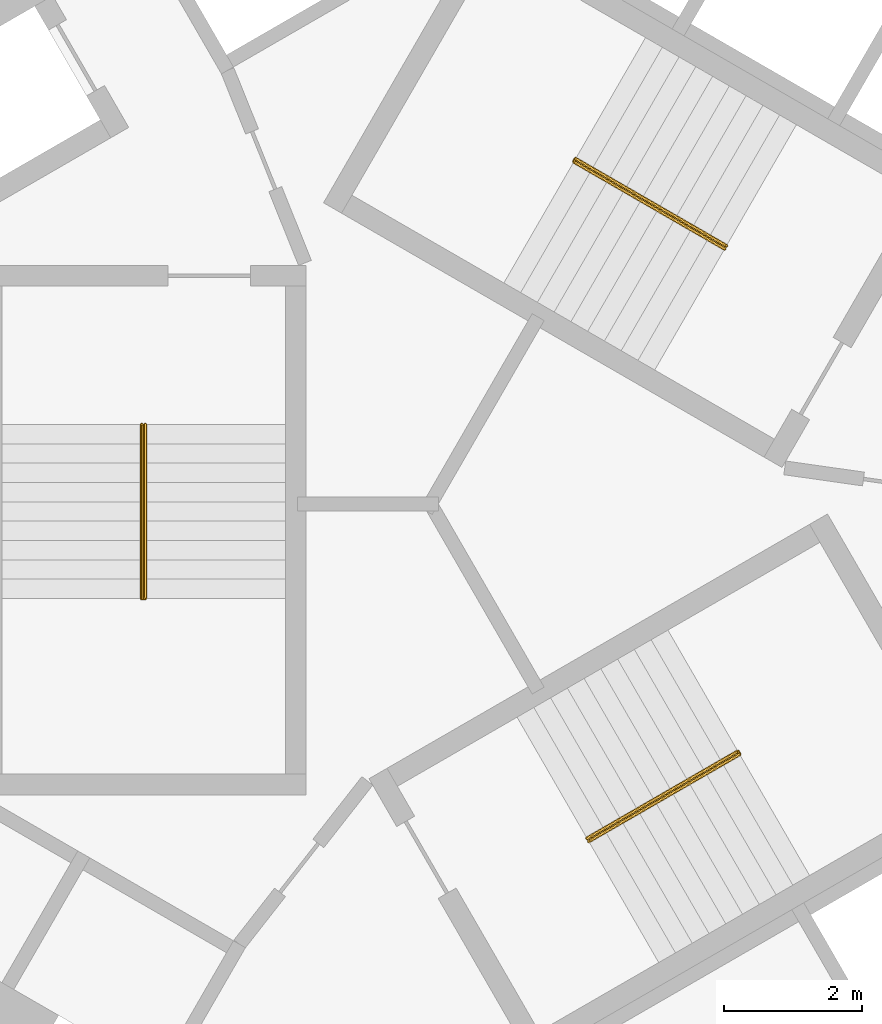
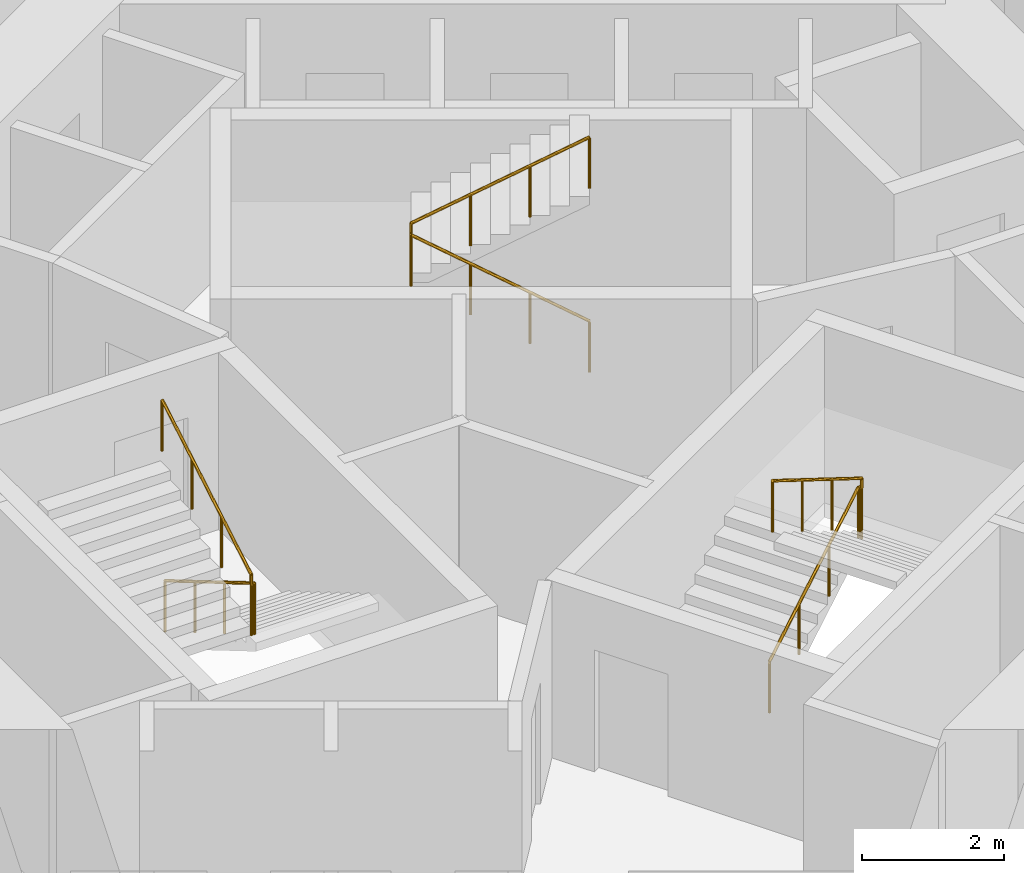
# One storey, part 12 of 12: 3 railings.
"""IFC4 building model written with IfcOpenShell, lengths in metres."""

from ifc_helpers import new_model, si_unit, direction, frame, origin, origin_2d, place, context, subcontext, project, spatial, circle, extrude, material, type_object, element, save


model = new_model("IFC4")

# Units and contexts
model_context = context("Model", 3, precision=1e-05, world=origin(), true_north=direction((0.0, 1.0)))
body_context = subcontext(model_context, "Body", "Model", "MODEL_VIEW")
ifc_project = project(units=[si_unit("LENGTHUNIT", "METRE"), si_unit("AREAUNIT", "SQUARE_METRE"), si_unit("VOLUMEUNIT", "CUBIC_METRE"), si_unit("PLANEANGLEUNIT", "RADIAN"), si_unit("MASSUNIT", "GRAM", prefix="KILO")], contexts=[model_context])

# Site, building, storey
site_placement = place(None, origin())
site = spatial("IfcSite", under=ifc_project, at=site_placement, CompositionType="ELEMENT")
building_placement = place(site_placement, origin())
building = spatial("IfcBuilding", under=site, at=building_placement, Name="Vanh Sen Convention Tower", CompositionType="ELEMENT")
storey_placement = place(building_placement, frame((0.0, 0.0, 103.39990234375)))
storey = spatial("IfcBuildingStorey", under=building, at=storey_placement, Name="L24", CompositionType="ELEMENT", Elevation=103.39990234375)

# Railings
ifc_material = material(Name="Stainless steel handrail", Category="steel")
railing_type = type_object("IfcRailingType", Name="Stair handrail 900", PredefinedType="HANDRAIL", material=ifc_material)
railing_1_placement = place(storey_placement, frame((3.45849609375, 3.690185546875, 0.1650390625)))
element("IfcRailing", 1, at=railing_1_placement, inside=storey, type_object=railing_type, Name="Stair handrail ST1 L24", PredefinedType="HANDRAIL", context=body_context, shape_type="SweptSolid", body=[
    extrude(circle(Radius=0.02392578125, at=origin_2d()), frame((0.0, 0.0, 0.8759765625), z_axis=(-0.746134546661, 0.430738299252, 0.507688640642), x_axis=(-0.499962843328, -0.866046855136, 0.0)), (0.0, 0.0, 1.0), 2.92529296875),
    extrude(circle(Radius=0.02392578125, at=origin_2d()), frame((-2.1826171875, 1.260009765625, 2.36083984375), z_axis=(0.502959906984, 0.86430974307, 0.0), x_axis=(-0.86430974307, 0.502959906984, 0.0)), (0.0, 0.0, 1.0), 0.050048828125),
    extrude(circle(Radius=0.02392578125, at=origin_2d()), frame((-2.157470703125, 1.30322265625, 2.36083984375), z_axis=(0.0, 0.0, 1.0), x_axis=(1.0, 0.0, 0.0)), (0.0, 0.0, 1.0), 0.1650390625),
    extrude(circle(Radius=0.02392578125, at=origin_2d()), frame((-2.157470703125, 1.30322265625, 2.52587890625), z_axis=(0.746129163535, -0.430783377672, 0.507658303235), x_axis=(0.500004791531, 0.866022637375, 0.0)), (0.0, 0.0, 1.0), 2.9248046875),
    extrude(circle(Radius=0.02099609375, at=origin_2d()), origin(), (0.0, 0.0, 1.0), 0.851806640625),
    extrude(circle(Radius=0.02099609375, at=origin_2d()), frame((-0.7275390625, 0.419921875, 0.4951171875)), (0.0, 0.0, 1.0), 0.851806640625),
    extrude(circle(Radius=0.02099609375, at=origin_2d()), frame((-1.455078125, 0.840087890625, 0.989990234375)), (0.0, 0.0, 1.0), 0.851806640625),
    extrude(circle(Radius=0.02099609375, at=origin_2d()), frame((-2.1826171875, 1.260009765625, 1.485107421875)), (0.0, 0.0, 1.0), 0.851806640625),
    extrude(circle(Radius=0.02099609375, at=origin_2d()), frame((-2.157470703125, 1.30322265625, 1.485107421875)), (0.0, 0.0, 1.0), 0.851806640625),
    extrude(circle(Radius=0.02099609375, at=origin_2d()), frame((-2.157470703125, 1.30322265625, 1.650146484375)), (0.0, 0.0, 1.0), 0.851806640625),
    extrude(circle(Radius=0.02099609375, at=origin_2d()), frame((-1.429931640625, 0.88330078125, 2.14501953125)), (0.0, 0.0, 1.0), 0.851806640625),
    extrude(circle(Radius=0.02099609375, at=origin_2d()), frame((-0.70263671875, 0.463134765625, 2.64013671875)), (0.0, 0.0, 1.0), 0.851806640625),
    extrude(circle(Radius=0.02099609375, at=origin_2d()), frame((0.02490234375, 0.043212890625, 3.135009765625)), (0.0, 0.0, 1.0), 0.851806640625),
])
railing_2_placement = place(storey_placement, frame((-4.925048828125, 1.14990234375, 0.1650390625)))
element("IfcRailing", 2, at=railing_2_placement, inside=storey, type_object=railing_type, Name="Stair handrail ST2 L24", PredefinedType="HANDRAIL", context=body_context, shape_type="SweptSolid", body=[
    extrude(circle(Radius=0.02392578125, at=origin_2d()), frame((0.0, 0.0, 0.8759765625), z_axis=(0.0, -0.86152411907, 0.507716645641), x_axis=(1.0, 0.0, 0.0)), (0.0, 0.0, 1.0), 2.925048828125),
    extrude(circle(Radius=0.02392578125, at=origin_2d()), frame((0.0, -2.52001953125, 2.36083984375), z_axis=(-1.0, 0.0, 0.0), x_axis=(0.0, -1.0, 0.0)), (0.0, 0.0, 1.0), 0.050048828125),
    extrude(circle(Radius=0.02392578125, at=origin_2d()), frame((-0.050048828125, -2.52001953125, 2.36083984375), z_axis=(0.0, 0.0, 1.0), x_axis=(1.0, 0.0, 0.0)), (0.0, 0.0, 1.0), 0.1650390625),
    extrude(circle(Radius=0.02392578125, at=origin_2d()), frame((-0.050048828125, -2.52001953125, 2.52587890625), z_axis=(0.0, 0.861560626758, 0.507654692109), x_axis=(-1.0, 0.0, 0.0)), (0.0, 0.0, 1.0), 2.925048828125),
    extrude(circle(Radius=0.02099609375, at=origin_2d()), origin(), (0.0, 0.0, 1.0), 0.851806640625),
    extrude(circle(Radius=0.02099609375, at=origin_2d()), frame((0.0, -0.840087890625, 0.4951171875)), (0.0, 0.0, 1.0), 0.851806640625),
    extrude(circle(Radius=0.02099609375, at=origin_2d()), frame((0.0, -1.679931640625, 0.989990234375)), (0.0, 0.0, 1.0), 0.851806640625),
    extrude(circle(Radius=0.02099609375, at=origin_2d()), frame((0.0, -2.52001953125, 1.485107421875)), (0.0, 0.0, 1.0), 0.851806640625),
    extrude(circle(Radius=0.02099609375, at=origin_2d()), frame((-0.050048828125, -2.52001953125, 1.485107421875)), (0.0, 0.0, 1.0), 0.851806640625),
    extrude(circle(Radius=0.02099609375, at=origin_2d()), frame((-0.050048828125, -2.52001953125, 1.650146484375)), (0.0, 0.0, 1.0), 0.851806640625),
    extrude(circle(Radius=0.02099609375, at=origin_2d()), frame((-0.050048828125, -1.679931640625, 2.14501953125)), (0.0, 0.0, 1.0), 0.851806640625),
    extrude(circle(Radius=0.02099609375, at=origin_2d()), frame((-0.050048828125, -0.840087890625, 2.64013671875)), (0.0, 0.0, 1.0), 0.851806640625),
    extrude(circle(Radius=0.02099609375, at=origin_2d()), frame((-0.050048828125, 0.0, 3.135009765625)), (0.0, 0.0, 1.0), 0.851806640625),
])
railing_3_placement = place(storey_placement, frame((1.466552734375, -4.840087890625, 0.1650390625)))
element("IfcRailing", 3, at=railing_3_placement, inside=storey, type_object=railing_type, Name="Stair handrail ST3 L24", PredefinedType="HANDRAIL", context=body_context, shape_type="SweptSolid", body=[
    extrude(circle(Radius=0.02392578125, at=origin_2d()), frame((0.0, 0.0, 0.8759765625), z_axis=(0.746097546679, 0.430765123438, 0.507720256902), x_axis=(-0.500004791531, 0.866022637375, 0.0)), (0.0, 0.0, 1.0), 2.925048828125),
    extrude(circle(Radius=0.02392578125, at=origin_2d()), frame((2.182373046875, 1.260009765625, 2.36083984375), z_axis=(0.500844580232, -0.86553723574, 0.0), x_axis=(0.86553723574, 0.500844580232, 0.0)), (0.0, 0.0, 1.0), 0.05029296875),
    extrude(circle(Radius=0.02392578125, at=origin_2d()), frame((2.20751953125, 1.216552734375, 2.36083984375), z_axis=(0.0, 0.0, 1.0), x_axis=(1.0, 0.0, 0.0)), (0.0, 0.0, 1.0), 0.1650390625),
    extrude(circle(Radius=0.02392578125, at=origin_2d()), frame((2.20751953125, 1.216552734375, 2.52587890625), z_axis=(-0.746129163535, -0.430783377672, 0.507658303235), x_axis=(0.500004791531, -0.866022637375, 0.0)), (0.0, 0.0, 1.0), 2.9248046875),
    extrude(circle(Radius=0.02099609375, at=origin_2d()), origin(), (0.0, 0.0, 1.0), 0.851806640625),
    extrude(circle(Radius=0.02099609375, at=origin_2d()), frame((0.7275390625, 0.419921875, 0.4951171875)), (0.0, 0.0, 1.0), 0.851806640625),
    extrude(circle(Radius=0.02099609375, at=origin_2d()), frame((1.454833984375, 0.840087890625, 0.989990234375)), (0.0, 0.0, 1.0), 0.851806640625),
    extrude(circle(Radius=0.02099609375, at=origin_2d()), frame((2.182373046875, 1.260009765625, 1.485107421875)), (0.0, 0.0, 1.0), 0.851806640625),
    extrude(circle(Radius=0.02099609375, at=origin_2d()), frame((2.20751953125, 1.216552734375, 1.485107421875)), (0.0, 0.0, 1.0), 0.851806640625),
    extrude(circle(Radius=0.02099609375, at=origin_2d()), frame((2.20751953125, 1.216552734375, 1.650146484375)), (0.0, 0.0, 1.0), 0.851806640625),
    extrude(circle(Radius=0.02099609375, at=origin_2d()), frame((1.47998046875, 0.796630859375, 2.14501953125)), (0.0, 0.0, 1.0), 0.851806640625),
    extrude(circle(Radius=0.02099609375, at=origin_2d()), frame((0.752685546875, 0.37646484375, 2.64013671875)), (0.0, 0.0, 1.0), 0.851806640625),
    extrude(circle(Radius=0.02099609375, at=origin_2d()), frame((0.025146484375, -0.04345703125, 3.135009765625)), (0.0, 0.0, 1.0), 0.851806640625),
])

save(model, "model.ifc")
